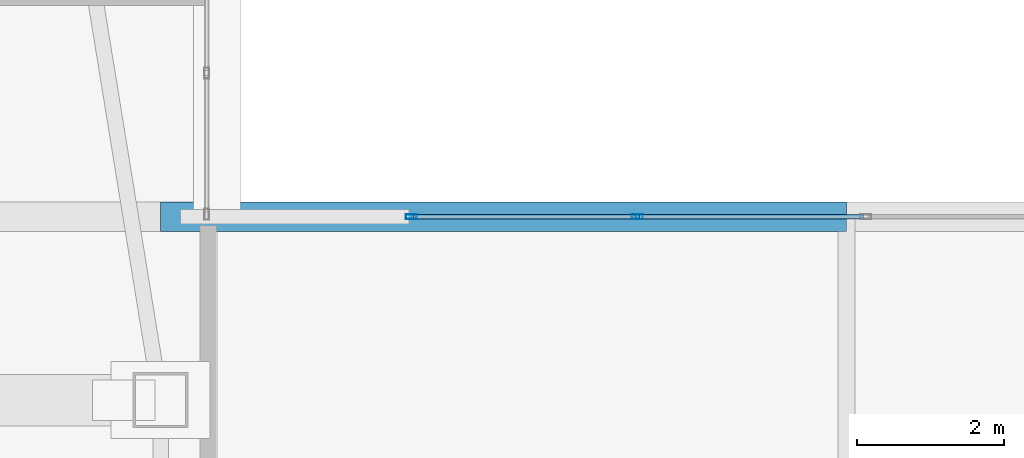
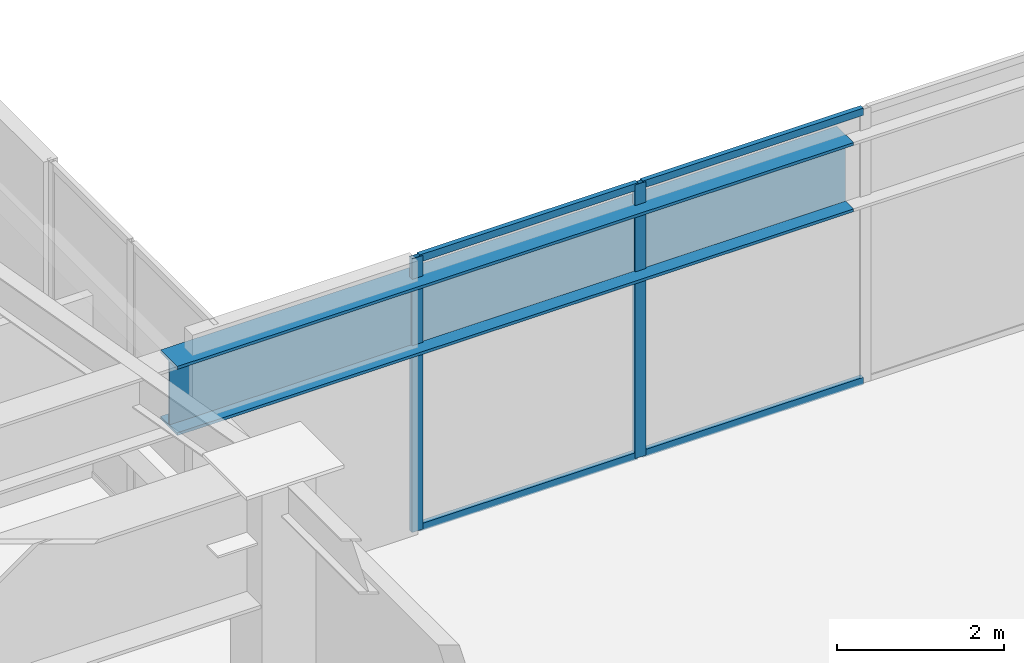
# One storey, part 16 of 51: 6 members, 1 beam, 1 element without a shape of its own.
"""IFC4 building model written with IfcOpenShell, lengths in metres."""

import ifcopenshell
import ifcopenshell.guid

model = None  # the IFC model being written
_history = None  # IfcOwnerHistory: only IFC2X3 demands one
_inside = {}  # id of a spatial element -> (the spatial element, [elements in it])
_under = {}  # id of a project, library or spatial element -> (it, [spatial elements below it])
_declared = {}  # id of a project -> (the project, [libraries it declares])
_typed = {}  # id of a type object -> (the type object, [elements of that type])
_made_of = {}  # id of a material, layer set ... -> (it, [elements and type objects made of it])


def new_model(schema):
    """Start an empty IFC model of exactly this schema.

    Asked for "IFC4X3", IfcOpenShell would pick the latest addendum, in which some entities
    have other attributes; the version numbers below select the first issue.
    IFC2X3 requires an IfcOwnerHistory on every rooted entity: one is made here for all.
    """
    global model, _history
    if schema == "IFC4X3":
        model = ifcopenshell.file(schema_version=(4, 3, 0, 0))
    else:
        model = ifcopenshell.file(schema=schema)
    _inside.clear()
    _under.clear()
    _declared.clear()
    _typed.clear()
    _made_of.clear()
    _history = None
    if model.schema == "IFC2X3":
        org = make("IfcOrganization", Name="unknown")
        user = make(
            "IfcPersonAndOrganization",
            ThePerson=make("IfcPerson", FamilyName="unknown"),
            TheOrganization=org,
        )
        app = make(
            "IfcApplication",
            ApplicationDeveloper=org,
            Version="unknown",
            ApplicationFullName="unknown",
            ApplicationIdentifier="unknown",
        )
        _history = make(
            "IfcOwnerHistory",
            OwningUser=user,
            OwningApplication=app,
            ChangeAction="ADDED",
            CreationDate=0,
        )
    return model


def make(cls, **values):
    """One entity of the class cls with the attributes given. An attribute that is None is left unset."""
    return model.create_entity(
        cls, **{name: value for name, value in values.items() if value is not None}
    )


def rooted(cls, **values):
    """An entity with a GlobalId (a new one), such as an element, a storey or a relation."""
    return make(cls, GlobalId=ifcopenshell.guid.new(), OwnerHistory=_history, **values)


def si_unit(unit_type, name, prefix=None):
    """IfcSIUnit, for example si_unit("LENGTHUNIT", "METRE", prefix="MILLI")."""
    return make("IfcSIUnit", UnitType=unit_type, Prefix=prefix, Name=name)


def assignment(units):
    """IfcUnitAssignment: the units of a project."""
    return None if units is None else make("IfcUnitAssignment", Units=units)


def point(xyz):
    """IfcCartesianPoint."""
    return None if xyz is None else make("IfcCartesianPoint", Coordinates=xyz)


def direction(xyz):
    """IfcDirection."""
    return None if xyz is None else make("IfcDirection", DirectionRatios=xyz)


def frame(location, z_axis=None, x_axis=None):
    """IfcAxis2Placement3D, a coordinate frame: its origin and axes. An axis left out is left unset."""
    return make(
        "IfcAxis2Placement3D",
        Location=point(location),
        Axis=direction(z_axis),
        RefDirection=direction(x_axis),
    )


def frame_2d(location, x_axis=None):
    """IfcAxis2Placement2D, a coordinate frame in the plane: its origin and x axis."""
    return make(
        "IfcAxis2Placement2D", Location=point(location), RefDirection=direction(x_axis)
    )


def origin():
    """The frame at (0, 0, 0) with its axes left unset."""
    return frame((0.0, 0.0, 0.0))


def origin_2d():
    """The frame at (0, 0) in the plane with its x axis left unset."""
    return frame_2d((0.0, 0.0))


def place(relative_to, where):
    """IfcLocalPlacement: puts the frame where relative to a parent placement (None: the world)."""
    return make(
        "IfcLocalPlacement", PlacementRelTo=relative_to, RelativePlacement=where
    )


def context(
    kind, dimensions, precision=None, world=None, true_north=None, identifier=None
):
    """IfcGeometricRepresentationContext, for example the 3D "Model" context."""
    return make(
        "IfcGeometricRepresentationContext",
        ContextIdentifier=identifier,
        ContextType=kind,
        CoordinateSpaceDimension=dimensions,
        Precision=precision,
        WorldCoordinateSystem=world,
        TrueNorth=true_north,
    )


def subcontext(parent, identifier, kind, view, scale=None):
    """IfcGeometricRepresentationSubContext, for example "Body" below "Model"."""
    return make(
        "IfcGeometricRepresentationSubContext",
        ContextIdentifier=identifier,
        ContextType=kind,
        ParentContext=parent,
        TargetScale=scale,
        TargetView=view,
    )


def project(units=None, contexts=None):
    """IfcProject with its units and contexts."""
    return rooted(
        "IfcProject",
        Name="project",
        RepresentationContexts=contexts,
        UnitsInContext=assignment(units),
    )


def spatial(cls, under=None, at=None, **own):
    """A site, building, storey or space (cls), placed at a placement, below another one or the project."""
    s = rooted(cls, ObjectPlacement=at, **own)
    if under is not None:
        _under.setdefault(under.id(), (under, []))[1].append(s)
    return s


def profile(cls, at=None, kind="AREA", **sizes):
    """A parametric profile (cls). Its sizes go by their IFC names, for example OverallWidth=200.0."""
    return make(cls, ProfileType=kind, Position=at, **sizes)


def hollow_rectangle(**sizes):
    """IfcRectangleHollowProfileDef."""
    return profile("IfcRectangleHollowProfileDef", **sizes)


def i_section(**sizes):
    """IfcIShapeProfileDef."""
    return profile("IfcIShapeProfileDef", **sizes)


def extrude(swept, where, along, depth):
    """IfcExtrudedAreaSolid: the profile swept, set in the frame where, extruded along a direction by depth."""
    return make(
        "IfcExtrudedAreaSolid",
        SweptArea=swept,
        Position=where,
        ExtrudedDirection=direction(along),
        Depth=depth,
    )


def shape(context_of_items, identifier, shape_type, items):
    """IfcShapeRepresentation: the items that make up one representation, for example the "Body"."""
    return make(
        "IfcShapeRepresentation",
        ContextOfItems=context_of_items,
        RepresentationIdentifier=identifier,
        RepresentationType=shape_type,
        Items=items,
    )


def material(Name=None, Category=None):
    """IfcMaterial."""
    return make("IfcMaterial", Name=Name, Category=Category)


def material_profile(
    of_material, cross_section, Name=None, Category=None, Priority=None
):
    """IfcMaterialProfile: a cross section and its material."""
    return make(
        "IfcMaterialProfile",
        Name=Name,
        Material=of_material,
        Profile=cross_section,
        Priority=Priority,
        Category=Category,
    )


def profile_set(profiles, Name=None, composite=None):
    """IfcMaterialProfileSet."""
    return make(
        "IfcMaterialProfileSet",
        Name=Name,
        MaterialProfiles=profiles,
        CompositeProfile=composite,
    )


def made_of(thing, what):
    """Note that an element or type object is made of a material, layer set ...; save() writes the relation."""
    if what is not None:
        _made_of.setdefault(what.id(), (what, []))[1].append(thing)
    return thing


def type_object(cls, material=None, **own):
    """A type object (cls), such as IfcWallType, which elements share."""
    return made_of(rooted(cls, **own), material)


def element(
    cls,
    number,
    at=None,
    inside=None,
    cuts=None,
    type_object=None,
    material=None,
    context=None,
    identifier="Body",
    shape_type=None,
    held_by="IfcProductDefinitionShape",
    body=None,
    shapes=None,
    **own,
):
    """One element of the class cls, such as IfcWall. Its Tag is "e" and its number.

    at: its placement. inside: the storey or other place that contains it. cuts: it is an
    opening in that element (IfcRelVoidsElement). A single representation is given by context,
    identifier, shape_type and body (its items); several are given by shapes. held_by: the class
    of the entity that holds the representations. save() writes the other relations.
    """
    e = rooted(cls, Tag="e%d" % number, ObjectPlacement=at, **own)
    if body is not None:
        shapes = [shape(context, identifier, shape_type, body)]
    if shapes is not None:
        e.Representation = make(held_by, Representations=shapes)
    if inside is not None:
        _inside.setdefault(inside.id(), (inside, []))[1].append(e)
    if cuts is not None:
        rooted(
            "IfcRelVoidsElement", RelatingBuildingElement=cuts, RelatedOpeningElement=e
        )
    if type_object is not None:
        _typed.setdefault(type_object.id(), (type_object, []))[1].append(e)
    return made_of(e, material)


def aggregate(whole, parts):
    """IfcRelAggregates: a whole, such as a stair, and the parts it consists of."""
    return rooted("IfcRelAggregates", RelatingObject=whole, RelatedObjects=parts)


def save(model, path):
    """Write the relations noted so far, then the file.

    IfcRelAggregates (storeys below a building ...), IfcRelContainedInSpatialStructure (elements
    in a storey), IfcRelDefinesByType, IfcRelAssociatesMaterial and IfcRelDeclares: one each for
    every whole, place, type object, material and project.
    """
    for whole, parts in _under.values():
        aggregate(whole, parts)
    for where, things in _inside.values():
        rooted(
            "IfcRelContainedInSpatialStructure",
            RelatedElements=things,
            RelatingStructure=where,
        )
    for kind, things in _typed.values():
        rooted("IfcRelDefinesByType", RelatedObjects=things, RelatingType=kind)
    for what, things in _made_of.values():
        rooted("IfcRelAssociatesMaterial", RelatedObjects=things, RelatingMaterial=what)
    for by, libraries in _declared.values():
        rooted("IfcRelDeclares", RelatingContext=by, RelatedDefinitions=libraries)
    model.write(path)


model = new_model("IFC4")

# Units and contexts
model_context = context("Model", 3, precision=1e-05, world=origin(), true_north=direction((0.0, 1.0)))
body_context = subcontext(model_context, "Body", "Model", "MODEL_VIEW")
ifc_project = project(units=[si_unit("LENGTHUNIT", "METRE"), si_unit("AREAUNIT", "SQUARE_METRE"), si_unit("VOLUMEUNIT", "CUBIC_METRE"), si_unit("PLANEANGLEUNIT", "RADIAN"), si_unit("MASSUNIT", "GRAM", prefix="KILO")], contexts=[model_context])

# Site, building, storey
site_placement = place(None, origin())
site = spatial("IfcSite", under=ifc_project, at=site_placement, CompositionType="ELEMENT")
building_placement = place(site_placement, origin())
building = spatial("IfcBuilding", under=site, at=building_placement, Name="Tashvorn Skyway Center", CompositionType="ELEMENT")
storey_placement = place(building_placement, frame((0.0, 0.0, 259.39990234375)))
storey = spatial("IfcBuildingStorey", under=building, at=storey_placement, Name="L70", CompositionType="ELEMENT", Elevation=259.39990234375)

# Beam
ifc_material_1 = material(Name="Steel ASTM A913 Grade 65", Category="steel")
ifc_material_profile_1 = material_profile(ifc_material_1, i_section(OverallWidth=0.40087890625, OverallDepth=1.010986328125, WebThickness=0.023681640625, FlangeThickness=0.0419921875, at=origin_2d()), Name="W40X297")
ifc_profile_set_1 = profile_set([ifc_material_profile_1], Name="Steel ASTM A913 Grade 65")
beam_type = type_object("IfcBeamType", Name="BM-BEAM-W40X297", PredefinedType="BEAM", material=ifc_profile_set_1)
beam_placement = place(storey_placement, frame((57.050048828125, 39.89990234375, 3.194580078125), z_axis=(1.0, 0.0, 0.0), x_axis=(0.0, 1.0, 0.0)))
element("IfcBeam", 1, at=beam_placement, inside=storey, type_object=beam_type, Name="Sky-Park Truss 2 Top Chord Panel 06", PredefinedType="BEAM", context=body_context, shape_type="SweptSolid", body=[
    extrude(i_section(OverallWidth=0.40087890625, OverallDepth=1.010986328125, WebThickness=0.023681640625, FlangeThickness=0.0419921875, at=origin_2d()), origin(), (0.0, 0.0, 1.0), 9.349853515625),
])

# Curtain wall, members
ifc_material_2 = material(Name="Thermally broken bronze-anodized aluminium 6063-T6", Category="aluminium")
curtain_wall_type = type_object("IfcCurtainWallType", Name="CW-CW-SKY", PredefinedType="NOTDEFINED", material=ifc_material_2)
curtain_wall_placement = place(storey_placement, origin())
curtain_wall = element("IfcCurtainWall", 2, at=curtain_wall_placement, inside=storey, type_object=curtain_wall_type, Name="Sky-Park L70 Bridge North Curtain Wall Glazing Group 1", PredefinedType="NOTDEFINED")
ifc_material_profile_2 = material_profile(ifc_material_2, hollow_rectangle(XDim=0.06494140625, YDim=0.14990234375, WallThickness=0.00390625, at=origin_2d()), Name="ALU-MULL-65x150")
ifc_profile_set_2 = profile_set([ifc_material_profile_2], Name="Thermally broken bronze-anodized aluminium 6063-T6")
member_type_1 = type_object("IfcMemberType", Name="CWM-CW-SKY", PredefinedType="MULLION", material=ifc_profile_set_2)
member_1_placement = place(storey_placement, frame((60.467529296875, 39.89990234375, 0.0), z_axis=(0.0, 0.0, 1.0), x_axis=(0.0, 1.0, 0.0)))
member_1 = element("IfcMember", 3, at=member_1_placement, type_object=member_type_1, Name="CW-SKY mullion 1", PredefinedType="MULLION", context=body_context, shape_type="SweptSolid", body=[
    extrude(hollow_rectangle(XDim=0.06494140625, YDim=0.14990234375, WallThickness=0.00390625, at=origin_2d()), origin(), (0.0, 0.0, 1.0), 4.0),
])
member_2_placement = place(storey_placement, frame((63.550048828125, 39.89990234375, 0.0), z_axis=(0.0, 0.0, 1.0), x_axis=(0.0, 1.0, 0.0)))
member_2 = element("IfcMember", 4, at=member_2_placement, type_object=member_type_1, Name="CW-SKY mullion 2", PredefinedType="MULLION", context=body_context, shape_type="SweptSolid", body=[
    extrude(hollow_rectangle(XDim=0.06494140625, YDim=0.14990234375, WallThickness=0.00390625, at=origin_2d()), origin(), (0.0, 0.0, 1.0), 4.0),
])
ifc_material_profile_3 = material_profile(ifc_material_2, hollow_rectangle(XDim=0.06494140625, YDim=0.10498046875, WallThickness=0.00390625, at=origin_2d()), Name="ALU-TRAN-65x105")
ifc_profile_set_3 = profile_set([ifc_material_profile_3], Name="Thermally broken bronze-anodized aluminium 6063-T6")
member_type_2 = type_object("IfcMemberType", Name="CWT-CW-SKY", PredefinedType="USERDEFINED", material=ifc_profile_set_3)
member_3_placement = place(storey_placement, frame((60.5, 39.89990234375, 0.03271484375), z_axis=(1.0, 0.0, 0.0), x_axis=(0.0, 1.0, 0.0)))
member_3 = element("IfcMember", 5, at=member_3_placement, type_object=member_type_2, Name="CW-SKY transom 1.1", ObjectType="TRANSOM", PredefinedType="USERDEFINED", context=body_context, shape_type="SweptSolid", body=[
    extrude(hollow_rectangle(XDim=0.06494140625, YDim=0.10498046875, WallThickness=0.00390625, at=origin_2d()), origin(), (0.0, 0.0, 1.0), 3.017578125),
])
member_4_placement = place(storey_placement, frame((60.5, 39.89990234375, 3.967529296875), z_axis=(1.0, 0.0, 0.0), x_axis=(0.0, 1.0, 0.0)))
member_4 = element("IfcMember", 6, at=member_4_placement, type_object=member_type_2, Name="CW-SKY transom 1.2", ObjectType="TRANSOM", PredefinedType="USERDEFINED", context=body_context, shape_type="SweptSolid", body=[
    extrude(hollow_rectangle(XDim=0.06494140625, YDim=0.10498046875, WallThickness=0.00390625, at=origin_2d()), origin(), (0.0, 0.0, 1.0), 3.017578125),
])
member_5_placement = place(storey_placement, frame((63.58251953125, 39.89990234375, 0.03271484375), z_axis=(1.0, 0.0, 0.0), x_axis=(0.0, 1.0, 0.0)))
member_5 = element("IfcMember", 7, at=member_5_placement, type_object=member_type_2, Name="CW-SKY transom 2.1", ObjectType="TRANSOM", PredefinedType="USERDEFINED", context=body_context, shape_type="SweptSolid", body=[
    extrude(hollow_rectangle(XDim=0.06494140625, YDim=0.10498046875, WallThickness=0.00390625, at=origin_2d()), origin(), (0.0, 0.0, 1.0), 3.050048828125),
])
member_6_placement = place(storey_placement, frame((63.58251953125, 39.89990234375, 3.967529296875), z_axis=(1.0, 0.0, 0.0), x_axis=(0.0, 1.0, 0.0)))
member_6 = element("IfcMember", 8, at=member_6_placement, type_object=member_type_2, Name="CW-SKY transom 2.2", ObjectType="TRANSOM", PredefinedType="USERDEFINED", context=body_context, shape_type="SweptSolid", body=[
    extrude(hollow_rectangle(XDim=0.06494140625, YDim=0.10498046875, WallThickness=0.00390625, at=origin_2d()), origin(), (0.0, 0.0, 1.0), 3.050048828125),
])
aggregate(curtain_wall, [member_1, member_2, member_3, member_4, member_5, member_6])

save(model, "model.ifc")
